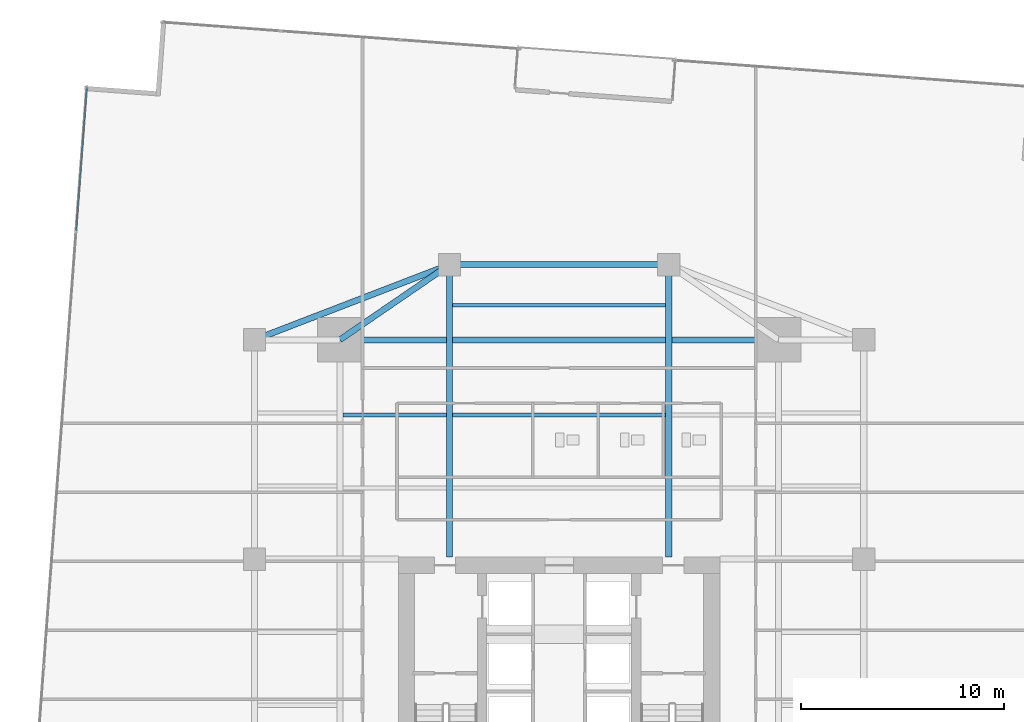
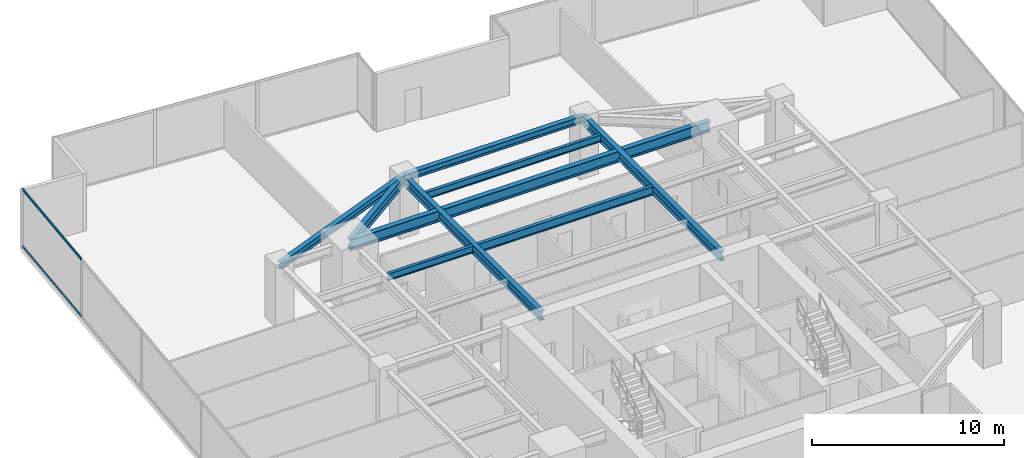
# One storey, part 18 of 30: 9 beams, 2 members, 1 element without a shape of its own.
"""IFC4 building model written with IfcOpenShell, lengths in metres."""

from ifc_helpers import new_model, si_unit, direction, frame, origin, origin_2d, place, context, subcontext, project, spatial, hollow_rectangle, i_section, extrude, source, transform, mapped, material, material_profile, profile_set, type_object, type_shapes, element, aggregate, save


model = new_model("IFC4")

# Units and contexts
model_context = context("Model", 3, precision=1e-05, world=origin(), true_north=direction((0.0, 1.0)))
body_context = subcontext(model_context, "Body", "Model", "MODEL_VIEW")
ifc_project = project(units=[si_unit("LENGTHUNIT", "METRE"), si_unit("AREAUNIT", "SQUARE_METRE"), si_unit("VOLUMEUNIT", "CUBIC_METRE"), si_unit("PLANEANGLEUNIT", "RADIAN"), si_unit("MASSUNIT", "GRAM", prefix="KILO")], contexts=[model_context])

# Site, building, storey
site_placement = place(None, origin())
site = spatial("IfcSite", under=ifc_project, at=site_placement, CompositionType="ELEMENT")
building_placement = place(site_placement, origin())
building = spatial("IfcBuilding", under=site, at=building_placement, Name="Krantzveldt Concourse Tower", CompositionType="ELEMENT")
storey_placement = place(building_placement, frame((0.0, 0.0, 52.64990234375)))
storey = spatial("IfcBuildingStorey", under=building, at=storey_placement, Name="L12", CompositionType="ELEMENT", Elevation=52.64990234375)

# Beams
ifc_material_1 = material(Name="Steel S355J2", Category="steel")
ifc_material_profile_1 = material_profile(ifc_material_1, i_section(OverallWidth=0.300048828125, OverallDepth=0.699951171875, WebThickness=0.01708984375, FlangeThickness=0.031982421875, FilletRadius=0.027099609375, at=origin_2d()), Name="Steel S355J2", Category="steel")
ifc_profile_set_1 = profile_set([ifc_material_profile_1], Name="Steel S355J2 - HEB 700")
beam_type_1 = type_object("IfcBeamType", Name="BM-B-HEB700", PredefinedType="BEAM", material=ifc_profile_set_1)
shared_shape_1 = source(origin(), body_context, "Body", "SweptSolid", [
    extrude(i_section(OverallWidth=0.300048828125, OverallDepth=0.699951171875, WebThickness=0.01708984375, FlangeThickness=0.031982421875, FilletRadius=0.027099609375, at=origin_2d()), origin(), (0.0, 0.0, 1.0), 21.60009765625),
])
type_shapes(beam_type_1, [shared_shape_1])
beam_1_placement = place(storey_placement, frame((25.199951171875, 37.5, 3.320068359375), z_axis=(1.0, 0.0, 0.0), x_axis=(0.0, 1.0, 0.0)))
element("IfcBeam", 1, at=beam_1_placement, inside=storey, type_object=beam_type_1, Name="L12 Tower Girder BG-MN", PredefinedType="BEAM", context=body_context, shape_type="MappedRepresentation", body=[
    mapped(shared_shape_1, transform((0.0, 0.0, 0.0), x_axis=(1.0, 0.0, 0.0), y_axis=(0.0, 1.0, 0.0), z_axis=(0.0, 0.0, 1.0), scale=1.0)),
])
ifc_material_2 = material(Name="Steel S355JR", Category="steel")
ifc_material_profile_2 = material_profile(ifc_material_2, i_section(OverallWidth=0.300048828125, OverallDepth=0.590087890625, WebThickness=0.012939453125, FlangeThickness=0.02490234375, FilletRadius=0.027099609375, at=origin_2d()), Name="Steel S355JR", Category="steel")
ifc_profile_set_2 = profile_set([ifc_material_profile_2], Name="Steel S355JR - HEA 600")
beam_type_2 = type_object("IfcBeamType", Name="BM-B-HEA600", PredefinedType="BEAM", material=ifc_profile_set_2)
shared_shape_2 = source(origin(), body_context, "Body", "SweptSolid", [
    extrude(i_section(OverallWidth=0.300048828125, OverallDepth=0.590087890625, WebThickness=0.012939453125, FlangeThickness=0.02490234375, FilletRadius=0.027099609375, at=origin_2d()), origin(), (0.0, 0.0, 1.0), 14.39990234375),
])
for number, where, z_axis, x_axis, name in (
    (2, (30.60009765625, 26.800048828125, 3.375), (0.0, 1.0, 0.0), (-1.0, 0.0, 0.0), "L12 Tower Girder BG-CNW"),
    (3, (41.39990234375, 26.800048828125, 3.375), (0.0, 1.0, 0.0), (-1.0, 0.0, 0.0), "L12 Tower Girder BG-CNE"),
):
    element("IfcBeam", number, at=place(storey_placement, frame(where, z_axis=z_axis, x_axis=x_axis)), inside=storey, type_object=beam_type_2, Name=name, PredefinedType="BEAM", context=body_context, shape_type="MappedRepresentation", body=[
        mapped(shared_shape_2, transform((0.0, 0.0, 0.0), x_axis=(1.0, 0.0, 0.0), y_axis=(0.0, 1.0, 0.0), z_axis=(0.0, 0.0, 1.0), scale=1.0)),
    ])
ifc_material_profile_3 = material_profile(ifc_material_2, i_section(OverallWidth=0.300048828125, OverallDepth=0.43994140625, WebThickness=0.011474609375, FlangeThickness=0.02099609375, FilletRadius=0.027099609375, at=origin_2d()), Name="Steel S355JR", Category="steel")
ifc_profile_set_3 = profile_set([ifc_material_profile_3], Name="Steel S355JR - HEA 450")
beam_type_3 = type_object("IfcBeamType", Name="BM-SP-HEA450", PredefinedType="SPANDREL", material=ifc_profile_set_3)
shared_shape_3 = source(origin(), body_context, "Body", "SweptSolid", [
    extrude(i_section(OverallWidth=0.300048828125, OverallDepth=0.43994140625, WebThickness=0.011474609375, FlangeThickness=0.02099609375, FilletRadius=0.027099609375, at=origin_2d()), origin(), (0.0, 0.0, 1.0), 10.288330078125),
])
beam_2_placement = place(storey_placement, frame((21.0, 37.5, 3.4501953125), z_axis=(0.933097690408, 0.359622997257, 0.0), x_axis=(-0.359622997257, 0.933097690408, 0.0)))
element("IfcBeam", 4, at=beam_2_placement, inside=storey, type_object=beam_type_3, Name="L12 Tower Girder SP-R03", PredefinedType="SPANDREL", context=body_context, shape_type="MappedRepresentation", body=[
    mapped(shared_shape_3, transform((0.0, 0.0, 0.0), x_axis=(1.0, 0.0, 0.0), y_axis=(0.0, 1.0, 0.0), z_axis=(0.0, 0.0, 1.0), scale=1.0)),
])
shared_shape_4 = source(origin(), body_context, "Body", "SweptSolid", [
    extrude(i_section(OverallWidth=0.300048828125, OverallDepth=0.43994140625, WebThickness=0.011474609375, FlangeThickness=0.02099609375, FilletRadius=0.027099609375, at=origin_2d()), origin(), (0.0, 0.0, 1.0), 10.7998046875),
])
type_shapes(beam_type_3, [shared_shape_3, shared_shape_4])
beam_3_placement = place(storey_placement, frame((30.60009765625, 41.199951171875, 3.4501953125), z_axis=(1.0, 0.0, 0.0), x_axis=(0.0, 1.0, 0.0)))
element("IfcBeam", 5, at=beam_3_placement, inside=storey, type_object=beam_type_3, Name="L12 Tower Girder SP-R04", PredefinedType="SPANDREL", context=body_context, shape_type="MappedRepresentation", body=[
    mapped(shared_shape_4, transform((0.0, 0.0, 0.0), x_axis=(1.0, 0.0, 0.0), y_axis=(0.0, 1.0, 0.0), z_axis=(0.0, 0.0, 1.0), scale=1.0)),
])
shared_shape_5 = source(origin(), body_context, "Body", "SweptSolid", [
    extrude(i_section(OverallWidth=0.300048828125, OverallDepth=0.590087890625, WebThickness=0.012939453125, FlangeThickness=0.02490234375, FilletRadius=0.027099609375, at=origin_2d()), origin(), (0.0, 0.0, 1.0), 6.546142578125),
])
type_shapes(beam_type_2, [shared_shape_2, shared_shape_5])
beam_4_placement = place(storey_placement, frame((25.199951171875, 37.5, 3.375), z_axis=(0.824942999484, 0.565215930068, 0.0), x_axis=(-0.565215930068, 0.824942999484, 0.0)))
element("IfcBeam", 6, at=beam_4_placement, inside=storey, type_object=beam_type_2, Name="L12 Tower Girder BR-RL4", PredefinedType="BEAM", context=body_context, shape_type="MappedRepresentation", body=[
    mapped(shared_shape_5, transform((0.0, 0.0, 0.0), x_axis=(1.0, 0.0, 0.0), y_axis=(0.0, 1.0, 0.0), z_axis=(0.0, 0.0, 1.0), scale=1.0)),
])
ifc_material_profile_4 = material_profile(ifc_material_2, i_section(OverallWidth=0.2099609375, OverallDepth=0.550048828125, WebThickness=0.010986328125, FlangeThickness=0.01708984375, FilletRadius=0.02392578125, at=origin_2d()), Name="Steel S355JR", Category="steel")
ifc_profile_set_4 = profile_set([ifc_material_profile_4], Name="Steel S355JR - IPE 550")
beam_type_4 = type_object("IfcBeamType", Name="BM-J-IPE550", PredefinedType="JOIST", material=ifc_profile_set_4)
shared_shape_6 = source(origin(), body_context, "Body", "SweptSolid", [
    extrude(i_section(OverallWidth=0.2099609375, OverallDepth=0.550048828125, WebThickness=0.010986328125, FlangeThickness=0.01708984375, FilletRadius=0.02392578125, at=origin_2d()), origin(), (0.0, 0.0, 1.0), 10.5),
])
type_shapes(beam_type_4, [shared_shape_6])
beam_5_placement = place(storey_placement, frame((30.75, 33.800048828125, 3.39501953125), z_axis=(1.0, 0.0, 0.0), x_axis=(0.0, 1.0, 0.0)))
element("IfcBeam", 7, at=beam_5_placement, inside=storey, type_object=beam_type_4, Name="L12 Secondary Floor Joist JN-C2", PredefinedType="JOIST", context=body_context, shape_type="MappedRepresentation", body=[
    mapped(shared_shape_6, transform((0.0, 0.0, 0.0), x_axis=(1.0, 0.0, 0.0), y_axis=(0.0, 1.0, 0.0), z_axis=(0.0, 0.0, 1.0), scale=1.0)),
])
ifc_material_profile_5 = material_profile(ifc_material_2, i_section(OverallWidth=0.18994140625, OverallDepth=0.449951171875, WebThickness=0.009521484375, FlangeThickness=0.0146484375, FilletRadius=0.02099609375, at=origin_2d()), Name="Steel S355JR", Category="steel")
ifc_profile_set_5 = profile_set([ifc_material_profile_5], Name="Steel S355JR - IPE 450")
beam_type_5 = type_object("IfcBeamType", Name="BM-J-IPE450", PredefinedType="JOIST", material=ifc_profile_set_5)
shared_shape_7 = source(origin(), body_context, "Body", "SweptSolid", [
    extrude(i_section(OverallWidth=0.18994140625, OverallDepth=0.449951171875, WebThickness=0.009521484375, FlangeThickness=0.0146484375, FilletRadius=0.02099609375, at=origin_2d()), origin(), (0.0, 0.0, 1.0), 10.5),
])
beam_6_placement = place(storey_placement, frame((30.75, 39.199951171875, 3.445068359375), z_axis=(1.0, 0.0, 0.0), x_axis=(0.0, 1.0, 0.0)))
element("IfcBeam", 8, at=beam_6_placement, inside=storey, type_object=beam_type_5, Name="L12 Secondary Floor Joist JN-C3", PredefinedType="JOIST", context=body_context, shape_type="MappedRepresentation", body=[
    mapped(shared_shape_7, transform((0.0, 0.0, 0.0), x_axis=(1.0, 0.0, 0.0), y_axis=(0.0, 1.0, 0.0), z_axis=(0.0, 0.0, 1.0), scale=1.0)),
])
shared_shape_8 = source(origin(), body_context, "Body", "SweptSolid", [
    extrude(i_section(OverallWidth=0.18994140625, OverallDepth=0.449951171875, WebThickness=0.009521484375, FlangeThickness=0.0146484375, FilletRadius=0.02099609375, at=origin_2d()), origin(), (0.0, 0.0, 1.0), 5.099853515625),
])
type_shapes(beam_type_5, [shared_shape_7, shared_shape_8])
beam_7_placement = place(storey_placement, frame((25.35009765625, 33.800048828125, 3.445068359375), z_axis=(1.0, 0.0, 0.0), x_axis=(0.0, 1.0, 0.0)))
element("IfcBeam", 9, at=beam_7_placement, inside=storey, type_object=beam_type_5, Name="L12 Secondary Floor Joist JN-W2", PredefinedType="JOIST", context=body_context, shape_type="MappedRepresentation", body=[
    mapped(shared_shape_8, transform((0.0, 0.0, 0.0), x_axis=(1.0, 0.0, 0.0), y_axis=(0.0, 1.0, 0.0), z_axis=(0.0, 0.0, 1.0), scale=1.0)),
])

# Curtain wall, members
ifc_material_3 = material(Name="Anodised aluminium 6063-T6", Category="aluminium")
curtain_wall_type = type_object("IfcCurtainWallType", Name="CW2", PredefinedType="USERDEFINED", material=ifc_material_3)
curtain_wall_placement = place(storey_placement, origin())
curtain_wall = element("IfcCurtainWall", 10, at=curtain_wall_placement, inside=storey, type_object=curtain_wall_type, Name="CW-L12-F01", ObjectType="UNITISED CURTAIN WALL", PredefinedType="USERDEFINED")
ifc_material_profile_6 = material_profile(ifc_material_3, hollow_rectangle(XDim=0.070068359375, YDim=0.139892578125, WallThickness=0.0048828125, at=origin_2d()), Name="Anodised aluminium 6063-T6", Category="aluminium")
ifc_profile_set_6 = profile_set([ifc_material_profile_6], Name="Anodised aluminium 6063-T6 - ALU-TRAN 140x70x5")
member_type = type_object("IfcMemberType", Name="CW-TRN-150", PredefinedType="USERDEFINED", material=ifc_profile_set_6)
shared_shape_9 = source(origin(), body_context, "Body", "SweptSolid", [
    extrude(hollow_rectangle(XDim=0.070068359375, YDim=0.139892578125, WallThickness=0.0048828125, at=origin_2d()), origin(), (0.0, 0.0, 1.0), 7.0615234375),
])
type_shapes(member_type, [shared_shape_9])
member_1_placement = place(storey_placement, frame((12.74658203125, 49.9169921875, 0.03515625), z_axis=(-0.074089449766, -0.997251599865, 0.0), x_axis=(0.997251599865, -0.074089449766, 0.0)))
member_1 = element("IfcMember", 11, at=member_1_placement, type_object=member_type, Name="CW-Z12 transom 1.1", ObjectType="TRANSOM", PredefinedType="USERDEFINED", context=body_context, shape_type="MappedRepresentation", body=[
    mapped(shared_shape_9, transform((0.0, 0.0, 0.0), x_axis=(1.0, 0.0, 0.0), y_axis=(0.0, 1.0, 0.0), z_axis=(0.0, 0.0, 1.0), scale=1.0)),
])
member_2_placement = place(storey_placement, frame((12.74658203125, 49.9169921875, 3.635009765625), z_axis=(-0.074089449766, -0.997251599865, 0.0), x_axis=(0.997251599865, -0.074089449766, 0.0)))
member_2 = element("IfcMember", 12, at=member_2_placement, type_object=member_type, Name="CW-Z12 transom 1.2", ObjectType="TRANSOM", PredefinedType="USERDEFINED", context=body_context, shape_type="MappedRepresentation", body=[
    mapped(shared_shape_9, transform((0.0, 0.0, 0.0), x_axis=(1.0, 0.0, 0.0), y_axis=(0.0, 1.0, 0.0), z_axis=(0.0, 0.0, 1.0), scale=1.0)),
])
aggregate(curtain_wall, [member_1, member_2])

save(model, "model.ifc")
